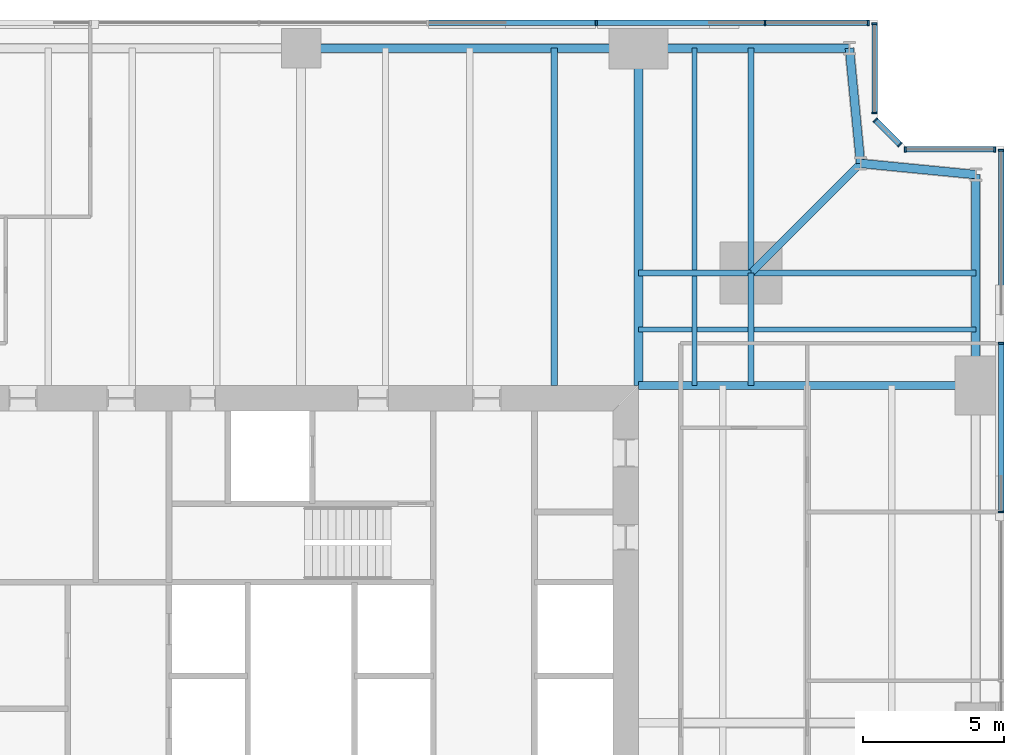
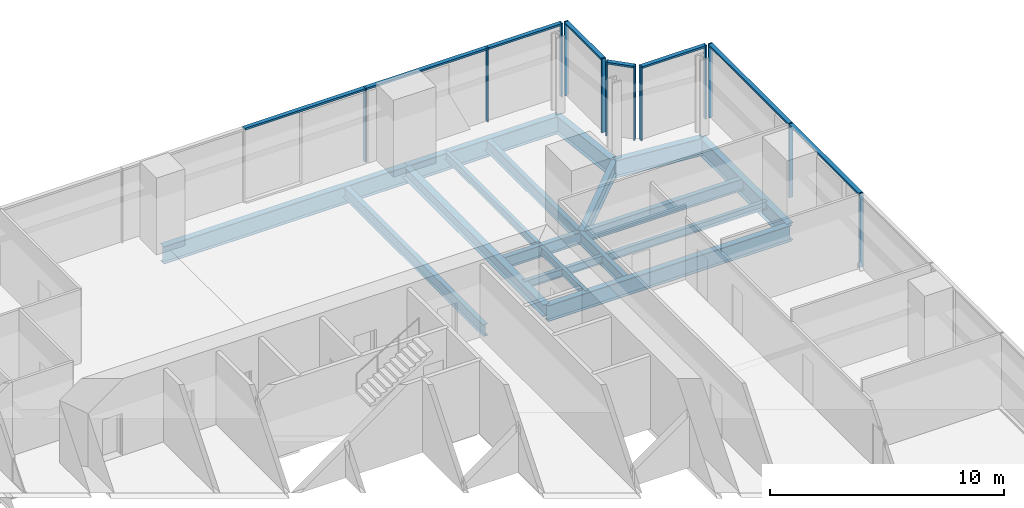
# One storey, part 7 of 13: 20 members, 18 beams, 5 elements without a shape of their own.
"""IFC4 building model written with IfcOpenShell, lengths in metres."""

from ifc_helpers import new_model, si_unit, direction, frame, origin, origin_2d, place, context, subcontext, project, spatial, rectangle, i_section, extrude, material, material_profile, profile_set, type_object, element, aggregate, save


model = new_model("IFC4")

# Units and contexts
model_context = context("Model", 3, precision=1e-05, world=origin(), true_north=direction((0.0, 1.0)))
body_context = subcontext(model_context, "Body", "Model", "MODEL_VIEW")
ifc_project = project(units=[si_unit("LENGTHUNIT", "METRE"), si_unit("AREAUNIT", "SQUARE_METRE"), si_unit("VOLUMEUNIT", "CUBIC_METRE"), si_unit("PLANEANGLEUNIT", "RADIAN"), si_unit("MASSUNIT", "GRAM", prefix="KILO")], contexts=[model_context])

# Site, building, storey
site_placement = place(None, origin())
site = spatial("IfcSite", under=ifc_project, at=site_placement, CompositionType="ELEMENT")
building_placement = place(site_placement, origin())
building = spatial("IfcBuilding", under=site, at=building_placement, Name="Fenwick Lantern Interchange", CompositionType="ELEMENT")
storey_placement = place(building_placement, frame((0.0, 0.0, 126.39990234375)))
storey = spatial("IfcBuildingStorey", under=building, at=storey_placement, Name="L29", CompositionType="ELEMENT", Elevation=126.39990234375)

# Beams
ifc_material_1 = material(Name="Steel ASTM A992 Grade 50", Category="steel")
ifc_material_profile_1 = material_profile(ifc_material_1, i_section(OverallWidth=0.3046875, OverallDepth=0.911865234375, WebThickness=0.015869140625, FlangeThickness=0.02392578125, at=origin_2d()), Name="W36X150")
ifc_profile_set_1 = profile_set([ifc_material_profile_1], Name="Steel ASTM A992 Grade 50")
beam_type_1 = type_object("IfcBeamType", Name="EDGE BEAM W36X150", PredefinedType="SPANDREL", material=ifc_profile_set_1)
beam_1_placement = place(storey_placement, frame((49.0, 37.0, -0.605712890625), z_axis=(0.0, 1.0, 0.0), x_axis=(-1.0, 0.0, 0.0)))
element("IfcBeam", 1, at=beam_1_placement, inside=storey, type_object=beam_type_1, Name="L29/FR/E/EB4", PredefinedType="SPANDREL", context=body_context, shape_type="SweptSolid", body=[
    extrude(i_section(OverallWidth=0.3046875, OverallDepth=0.911865234375, WebThickness=0.015869140625, FlangeThickness=0.02392578125, at=origin_2d()), origin(), (0.0, 0.0, 1.0), 7.5),
])
for number, where, z_axis, x_axis, name in (
    (2, (49.0, 44.5, -0.605712890625), (-0.995277148028, 0.097074191287, 0.0), (-0.097074191287, -0.995277148028, 0.0), "L29/FR/E/EBR1"),
    (3, (44.89990234375, 44.89990234375, -0.605712890625), (-0.097074191287, 0.995277148028, 0.0), (-0.995277148028, -0.097074191287, 0.0), "L29/FR/E/EBR2"),
):
    element("IfcBeam", number, at=place(storey_placement, frame(where, z_axis=z_axis, x_axis=x_axis)), inside=storey, type_object=beam_type_1, Name=name, PredefinedType="SPANDREL", context=body_context, shape_type="SweptSolid", body=[
        extrude(i_section(OverallWidth=0.3046875, OverallDepth=0.911865234375, WebThickness=0.015869140625, FlangeThickness=0.02392578125, at=origin_2d()), origin(), (0.0, 0.0, 1.0), 4.11962890625),
    ])
beam_2_placement = place(storey_placement, frame((44.5, 49.0, -0.605712890625), z_axis=(-1.0, 0.0, 0.0), x_axis=(0.0, -1.0, 0.0)))
element("IfcBeam", 4, at=beam_2_placement, inside=storey, type_object=beam_type_1, Name="L29/FR/N/EB1", PredefinedType="SPANDREL", context=body_context, shape_type="SweptSolid", body=[
    extrude(i_section(OverallWidth=0.3046875, OverallDepth=0.911865234375, WebThickness=0.015869140625, FlangeThickness=0.02392578125, at=origin_2d()), origin(), (0.0, 0.0, 1.0), 7.5),
])
beam_3_placement = place(storey_placement, frame((37.0, 49.0, -0.605712890625), z_axis=(-1.0, 0.0, 0.0), x_axis=(0.0, -1.0, 0.0)))
element("IfcBeam", 5, at=beam_3_placement, inside=storey, type_object=beam_type_1, Name="L29/FR/N/EB2", PredefinedType="SPANDREL", context=body_context, shape_type="SweptSolid", body=[
    extrude(i_section(OverallWidth=0.3046875, OverallDepth=0.911865234375, WebThickness=0.015869140625, FlangeThickness=0.02392578125, at=origin_2d()), origin(), (0.0, 0.0, 1.0), 12.0),
])
ifc_material_profile_2 = material_profile(ifc_material_1, i_section(OverallWidth=0.22900390625, OverallDepth=0.612060546875, WebThickness=0.011962890625, FlangeThickness=0.01953125, at=origin_2d()), Name="W24X84")
ifc_profile_set_2 = profile_set([ifc_material_profile_2], Name="Steel ASTM A992 Grade 50")
beam_type_2 = type_object("IfcBeamType", Name="FLOOR BEAM W24X84", PredefinedType="BEAM", material=ifc_profile_set_2)
beam_4_placement = place(storey_placement, frame((34.0, 49.0, -0.4560546875), z_axis=(0.0, -1.0, 0.0), x_axis=(1.0, 0.0, 0.0)))
element("IfcBeam", 6, at=beam_4_placement, inside=storey, type_object=beam_type_2, Name="L29/FR/N/R02", PredefinedType="BEAM", context=body_context, shape_type="SweptSolid", body=[
    extrude(i_section(OverallWidth=0.22900390625, OverallDepth=0.612060546875, WebThickness=0.011962890625, FlangeThickness=0.01953125, at=origin_2d()), origin(), (0.0, 0.0, 1.0), 12.0),
])
ifc_material_profile_3 = material_profile(ifc_material_1, i_section(OverallWidth=0.177734375, OverallDepth=0.406494140625, WebThickness=0.0078125, FlangeThickness=0.012939453125, at=origin_2d()), Name="W16X40")
ifc_profile_set_3 = profile_set([ifc_material_profile_3], Name="Steel ASTM A992 Grade 50")
beam_type_3 = type_object("IfcBeamType", Name="INFILL BEAM W16X40", PredefinedType="JOIST", material=ifc_profile_set_3)
beam_5_placement = place(storey_placement, frame((39.0, 49.0, -0.35302734375), z_axis=(0.0, -1.0, 0.0), x_axis=(1.0, 0.0, 0.0)))
element("IfcBeam", 7, at=beam_5_placement, inside=storey, type_object=beam_type_3, Name="L29/FR/N/J1", PredefinedType="JOIST", context=body_context, shape_type="SweptSolid", body=[
    extrude(i_section(OverallWidth=0.177734375, OverallDepth=0.406494140625, WebThickness=0.0078125, FlangeThickness=0.012939453125, at=origin_2d()), origin(), (0.0, 0.0, 1.0), 7.885498046875),
])
beam_6_placement = place(storey_placement, frame((39.0, 40.885498046875, -0.35302734375), z_axis=(0.0, -1.0, 0.0), x_axis=(1.0, 0.0, 0.0)))
element("IfcBeam", 8, at=beam_6_placement, inside=storey, type_object=beam_type_3, Name="L29/FR/N/J2", PredefinedType="JOIST", context=body_context, shape_type="SweptSolid", body=[
    extrude(i_section(OverallWidth=0.177734375, OverallDepth=0.406494140625, WebThickness=0.0078125, FlangeThickness=0.012939453125, at=origin_2d()), origin(), (0.0, 0.0, 1.0), 3.885498046875),
])
beam_7_placement = place(storey_placement, frame((49.0, 39.0, -0.35302734375), z_axis=(-1.0, 0.0, 0.0), x_axis=(0.0, -1.0, 0.0)))
element("IfcBeam", 9, at=beam_7_placement, inside=storey, type_object=beam_type_3, Name="L29/FR/N/J3", PredefinedType="JOIST", context=body_context, shape_type="SweptSolid", body=[
    extrude(i_section(OverallWidth=0.177734375, OverallDepth=0.406494140625, WebThickness=0.0078125, FlangeThickness=0.012939453125, at=origin_2d()), origin(), (0.0, 0.0, 1.0), 7.885498046875),
])
beam_8_placement = place(storey_placement, frame((40.885498046875, 39.0, -0.35302734375), z_axis=(-1.0, 0.0, 0.0), x_axis=(0.0, -1.0, 0.0)))
element("IfcBeam", 10, at=beam_8_placement, inside=storey, type_object=beam_type_3, Name="L29/FR/N/J4", PredefinedType="JOIST", context=body_context, shape_type="SweptSolid", body=[
    extrude(i_section(OverallWidth=0.177734375, OverallDepth=0.406494140625, WebThickness=0.0078125, FlangeThickness=0.012939453125, at=origin_2d()), origin(), (0.0, 0.0, 1.0), 1.796630859375),
])
beam_9_placement = place(storey_placement, frame((38.9111328125, 39.0, -0.35302734375), z_axis=(-1.0, 0.0, 0.0), x_axis=(0.0, -1.0, 0.0)))
element("IfcBeam", 11, at=beam_9_placement, inside=storey, type_object=beam_type_3, Name="L29/FR/N/J5", PredefinedType="JOIST", context=body_context, shape_type="SweptSolid", body=[
    extrude(i_section(OverallWidth=0.177734375, OverallDepth=0.406494140625, WebThickness=0.0078125, FlangeThickness=0.012939453125, at=origin_2d()), origin(), (0.0, 0.0, 1.0), 1.9111328125),
])
ifc_material_profile_4 = material_profile(ifc_material_1, i_section(OverallWidth=0.22900390625, OverallDepth=0.612060546875, WebThickness=0.011962890625, FlangeThickness=0.01953125, at=origin_2d()), Name="W24X84")
ifc_profile_set_4 = profile_set([ifc_material_profile_4], Name="Steel ASTM A992 Grade 50")
beam_type_4 = type_object("IfcBeamType", Name="MEGA COLUMN BEAM W24X84", PredefinedType="BEAM", material=ifc_profile_set_4)
for number, where, z_axis, x_axis, name in (
    (12, (41.0, 41.0, -0.4560546875), (0.0, 1.0, 0.0), (-1.0, 0.0, 0.0), "L29/FR/N/MB1"),
    (13, (41.0, 41.0, -0.4560546875), (1.0, 0.0, 0.0), (0.0, 1.0, 0.0), "L29/FR/N/MB2"),
):
    element("IfcBeam", number, at=place(storey_placement, frame(where, z_axis=z_axis, x_axis=x_axis)), inside=storey, type_object=beam_type_4, Name=name, PredefinedType="BEAM", context=body_context, shape_type="SweptSolid", body=[
        extrude(i_section(OverallWidth=0.22900390625, OverallDepth=0.612060546875, WebThickness=0.011962890625, FlangeThickness=0.01953125, at=origin_2d()), origin(), (0.0, 0.0, 1.0), 8.0),
    ])
for number, where, z_axis, x_axis, name in (
    (14, (41.0, 41.0, -0.4560546875), (-1.0, 0.0, 0.0), (0.0, -1.0, 0.0), "L29/FR/N/MB3"),
    (15, (41.0, 41.0, -0.4560546875), (0.0, -1.0, 0.0), (1.0, 0.0, 0.0), "L29/FR/N/MB4"),
):
    element("IfcBeam", number, at=place(storey_placement, frame(where, z_axis=z_axis, x_axis=x_axis)), inside=storey, type_object=beam_type_4, Name=name, PredefinedType="BEAM", context=body_context, shape_type="SweptSolid", body=[
        extrude(i_section(OverallWidth=0.22900390625, OverallDepth=0.612060546875, WebThickness=0.011962890625, FlangeThickness=0.01953125, at=origin_2d()), origin(), (0.0, 0.0, 1.0), 4.0),
    ])
ifc_material_profile_5 = material_profile(ifc_material_1, i_section(OverallWidth=0.32763671875, OverallDepth=0.622314453125, WebThickness=0.015380859375, FlangeThickness=0.0244140625, at=origin_2d()), Name="W24X131")
ifc_profile_set_5 = profile_set([ifc_material_profile_5], Name="Steel ASTM A992 Grade 50")
beam_type_5 = type_object("IfcBeamType", Name="MOMENT-CONNECTED GIRDER W24X131", PredefinedType="BEAM", material=ifc_profile_set_5)
beam_10_placement = place(storey_placement, frame((37.0, 49.0, -0.4609375), z_axis=(0.0, -1.0, 0.0), x_axis=(1.0, 0.0, 0.0)))
element("IfcBeam", 16, at=beam_10_placement, inside=storey, type_object=beam_type_5, Name="L29/FR/N/R01", PredefinedType="BEAM", context=body_context, shape_type="SweptSolid", body=[
    extrude(i_section(OverallWidth=0.32763671875, OverallDepth=0.622314453125, WebThickness=0.015380859375, FlangeThickness=0.0244140625, at=origin_2d()), origin(), (0.0, 0.0, 1.0), 12.0),
])
ifc_material_profile_6 = material_profile(ifc_material_1, i_section(OverallWidth=0.2919921875, OverallDepth=0.845703125, WebThickness=0.015380859375, FlangeThickness=0.0244140625, at=origin_2d()), Name="W33X141")
ifc_profile_set_6 = profile_set([ifc_material_profile_6], Name="Steel ASTM A992 Grade 50")
beam_type_6 = type_object("IfcBeamType", Name="MOMENT-CONNECTED GIRDER W33X141", PredefinedType="BEAM", material=ifc_profile_set_6)
beam_11_placement = place(storey_placement, frame((49.0, 37.0, -0.57275390625), z_axis=(-1.0, 0.0, 0.0), x_axis=(0.0, -1.0, 0.0)))
element("IfcBeam", 17, at=beam_11_placement, inside=storey, type_object=beam_type_6, Name="L29/FR/E/R03", PredefinedType="BEAM", context=body_context, shape_type="SweptSolid", body=[
    extrude(i_section(OverallWidth=0.2919921875, OverallDepth=0.845703125, WebThickness=0.015380859375, FlangeThickness=0.0244140625, at=origin_2d()), origin(), (0.0, 0.0, 1.0), 12.0),
])
ifc_material_profile_7 = material_profile(ifc_material_1, i_section(OverallWidth=0.2666015625, OverallDepth=0.7568359375, WebThickness=0.013916015625, FlangeThickness=0.019287109375, at=origin_2d()), Name="W30X108")
ifc_profile_set_7 = profile_set([ifc_material_profile_7], Name="Steel ASTM A992 Grade 50")
beam_type_7 = type_object("IfcBeamType", Name="NOTCH BEAM W30X108", PredefinedType="BEAM", material=ifc_profile_set_7)
beam_12_placement = place(storey_placement, frame((41.0, 41.0, -0.5283203125), z_axis=(0.707106781187, 0.707106781187, 0.0), x_axis=(-0.707106781187, 0.707106781187, 0.0)))
element("IfcBeam", 18, at=beam_12_placement, inside=storey, type_object=beam_type_7, Name="L29/FR/N/TG", PredefinedType="BEAM", context=body_context, shape_type="SweptSolid", body=[
    extrude(i_section(OverallWidth=0.2666015625, OverallDepth=0.7568359375, WebThickness=0.013916015625, FlangeThickness=0.019287109375, at=origin_2d()), origin(), (0.0, 0.0, 1.0), 5.515380859375),
])

# Curtain wall, members
ifc_material_2 = material(Name="Aluminium curtain wall frame", Category="aluminium")
curtain_wall_type = type_object("IfcCurtainWallType", Name="OFFICE CURTAIN WALL", PredefinedType="USERDEFINED", material=ifc_material_2)
curtain_wall_1_placement = place(storey_placement, origin())
curtain_wall_1 = element("IfcCurtainWall", 19, at=curtain_wall_1_placement, inside=storey, type_object=curtain_wall_type, Name="Office curtain wall 05", ObjectType="OFFICE CURTAIN WALL", PredefinedType="USERDEFINED")
ifc_material_3 = material(Name="Aluminium extrusion", Category="aluminium")
ifc_material_profile_8 = material_profile(ifc_material_3, rectangle(XDim=0.199951171875, YDim=0.06494140625, at=origin_2d()), Name="OFFICE CURTAIN WALL MULLION 65 X 200")
ifc_profile_set_8 = profile_set([ifc_material_profile_8], Name="Aluminium extrusion")
member_type_1 = type_object("IfcMemberType", Name="OFFICE CURTAIN WALL MULLION 65 X 200", PredefinedType="MULLION", material=ifc_profile_set_8)
member_1_placement = place(storey_placement, frame((49.89990234375, 32.5, 0.0), z_axis=(0.0, 0.0, 1.0), x_axis=(-1.0, 0.0, 0.0)))
member_1 = element("IfcMember", 20, at=member_1_placement, type_object=member_type_1, Name="L29/CW/05/M05", PredefinedType="MULLION", context=body_context, shape_type="SweptSolid", body=[
    extrude(rectangle(XDim=0.199951171875, YDim=0.06494140625, at=origin_2d()), origin(), (0.0, 0.0, 1.0), 3.85009765625),
])
member_2_placement = place(storey_placement, frame((49.89990234375, 38.5, 0.0), z_axis=(0.0, 0.0, 1.0), x_axis=(-1.0, 0.0, 0.0)))
member_2 = element("IfcMember", 21, at=member_2_placement, type_object=member_type_1, Name="L29/CW/05/M06", PredefinedType="MULLION", context=body_context, shape_type="SweptSolid", body=[
    extrude(rectangle(XDim=0.199951171875, YDim=0.06494140625, at=origin_2d()), origin(), (0.0, 0.0, 1.0), 3.85009765625),
])
member_3_placement = place(storey_placement, frame((49.89990234375, 45.367431640625, 0.0), z_axis=(0.0, 0.0, 1.0), x_axis=(-1.0, 0.0, 0.0)))
member_3 = element("IfcMember", 22, at=member_3_placement, type_object=member_type_1, Name="L29/CW/05/M07", PredefinedType="MULLION", context=body_context, shape_type="SweptSolid", body=[
    extrude(rectangle(XDim=0.199951171875, YDim=0.06494140625, at=origin_2d()), origin(), (0.0, 0.0, 1.0), 3.85009765625),
])

curtain_wall_2_placement = place(storey_placement, origin())
curtain_wall_2 = element("IfcCurtainWall", 23, at=curtain_wall_2_placement, inside=storey, type_object=curtain_wall_type, Name="Office curtain wall 06", ObjectType="OFFICE CURTAIN WALL", PredefinedType="USERDEFINED")
member_4_placement = place(storey_placement, frame((49.66748046875, 45.39990234375, 0.0), z_axis=(0.0, 0.0, 1.0), x_axis=(0.0, -1.0, 0.0)))
member_4 = element("IfcMember", 24, at=member_4_placement, type_object=member_type_1, Name="L29/CW/06/M00", PredefinedType="MULLION", context=body_context, shape_type="SweptSolid", body=[
    extrude(rectangle(XDim=0.199951171875, YDim=0.06494140625, at=origin_2d()), origin(), (0.0, 0.0, 1.0), 3.85009765625),
])
member_5_placement = place(storey_placement, frame((46.490966796875, 45.39990234375, 0.0), z_axis=(0.0, 0.0, 1.0), x_axis=(0.0, -1.0, 0.0)))
member_5 = element("IfcMember", 25, at=member_5_placement, type_object=member_type_1, Name="L29/CW/06/M01", PredefinedType="MULLION", context=body_context, shape_type="SweptSolid", body=[
    extrude(rectangle(XDim=0.199951171875, YDim=0.06494140625, at=origin_2d()), origin(), (0.0, 0.0, 1.0), 3.85009765625),
])

curtain_wall_3_placement = place(storey_placement, origin())
curtain_wall_3 = element("IfcCurtainWall", 26, at=curtain_wall_3_placement, inside=storey, type_object=curtain_wall_type, Name="Office curtain wall 07", ObjectType="OFFICE CURTAIN WALL", PredefinedType="USERDEFINED")
member_6_placement = place(storey_placement, frame((46.294189453125, 45.564453125, 0.0), z_axis=(0.0, 0.0, 1.0), x_axis=(-0.707106781187, -0.707106781187, 0.0)))
member_6 = element("IfcMember", 27, at=member_6_placement, type_object=member_type_1, Name="L29/CW/07/M00", PredefinedType="MULLION", context=body_context, shape_type="SweptSolid", body=[
    extrude(rectangle(XDim=0.199951171875, YDim=0.06494140625, at=origin_2d()), origin(), (0.0, 0.0, 1.0), 3.85009765625),
])
member_7_placement = place(storey_placement, frame((45.423095703125, 46.435546875, 0.0), z_axis=(0.0, 0.0, 1.0), x_axis=(-0.707106781187, -0.707106781187, 0.0)))
member_7 = element("IfcMember", 28, at=member_7_placement, type_object=member_type_1, Name="L29/CW/07/M01", PredefinedType="MULLION", context=body_context, shape_type="SweptSolid", body=[
    extrude(rectangle(XDim=0.199951171875, YDim=0.06494140625, at=origin_2d()), origin(), (0.0, 0.0, 1.0), 3.85009765625),
])

curtain_wall_4_placement = place(storey_placement, origin())
curtain_wall_4 = element("IfcCurtainWall", 29, at=curtain_wall_4_placement, inside=storey, type_object=curtain_wall_type, Name="Office curtain wall 08", ObjectType="OFFICE CURTAIN WALL", PredefinedType="USERDEFINED")
member_8_placement = place(storey_placement, frame((45.39990234375, 46.691162109375, 0.0), z_axis=(0.0, 0.0, 1.0), x_axis=(-1.0, 0.0, 0.0)))
member_8 = element("IfcMember", 30, at=member_8_placement, type_object=member_type_1, Name="L29/CW/08/M00", PredefinedType="MULLION", context=body_context, shape_type="SweptSolid", body=[
    extrude(rectangle(XDim=0.199951171875, YDim=0.06494140625, at=origin_2d()), origin(), (0.0, 0.0, 1.0), 3.85009765625),
])
member_9_placement = place(storey_placement, frame((45.39990234375, 49.867431640625, 0.0), z_axis=(0.0, 0.0, 1.0), x_axis=(-1.0, 0.0, 0.0)))
member_9 = element("IfcMember", 31, at=member_9_placement, type_object=member_type_1, Name="L29/CW/08/M01", PredefinedType="MULLION", context=body_context, shape_type="SweptSolid", body=[
    extrude(rectangle(XDim=0.199951171875, YDim=0.06494140625, at=origin_2d()), origin(), (0.0, 0.0, 1.0), 3.85009765625),
])

curtain_wall_5_placement = place(storey_placement, origin())
curtain_wall_5 = element("IfcCurtainWall", 32, at=curtain_wall_5_placement, inside=storey, type_object=curtain_wall_type, Name="Office curtain wall 09", ObjectType="OFFICE CURTAIN WALL", PredefinedType="USERDEFINED")
member_10_placement = place(storey_placement, frame((45.16748046875, 49.89990234375, 0.0), z_axis=(0.0, 0.0, 1.0), x_axis=(0.0, -1.0, 0.0)))
member_10 = element("IfcMember", 33, at=member_10_placement, type_object=member_type_1, Name="L29/CW/09/M00", PredefinedType="MULLION", context=body_context, shape_type="SweptSolid", body=[
    extrude(rectangle(XDim=0.199951171875, YDim=0.06494140625, at=origin_2d()), origin(), (0.0, 0.0, 1.0), 3.85009765625),
])
member_11_placement = place(storey_placement, frame((41.5, 49.89990234375, 0.0), z_axis=(0.0, 0.0, 1.0), x_axis=(0.0, -1.0, 0.0)))
member_11 = element("IfcMember", 34, at=member_11_placement, type_object=member_type_1, Name="L29/CW/09/M01", PredefinedType="MULLION", context=body_context, shape_type="SweptSolid", body=[
    extrude(rectangle(XDim=0.199951171875, YDim=0.06494140625, at=origin_2d()), origin(), (0.0, 0.0, 1.0), 3.85009765625),
])
member_12_placement = place(storey_placement, frame((35.5, 49.89990234375, 0.0), z_axis=(0.0, 0.0, 1.0), x_axis=(0.0, -1.0, 0.0)))
member_12 = element("IfcMember", 35, at=member_12_placement, type_object=member_type_1, Name="L29/CW/09/M02", PredefinedType="MULLION", context=body_context, shape_type="SweptSolid", body=[
    extrude(rectangle(XDim=0.199951171875, YDim=0.06494140625, at=origin_2d()), origin(), (0.0, 0.0, 1.0), 3.85009765625),
])

# Member
ifc_material_profile_9 = material_profile(ifc_material_3, rectangle(XDim=0.199951171875, YDim=0.10009765625, at=origin_2d()), Name="OFFICE CURTAIN WALL TRANSOM 100 X 200")
ifc_profile_set_9 = profile_set([ifc_material_profile_9], Name="Aluminium extrusion")
member_type_2 = type_object("IfcMemberType", Name="OFFICE CURTAIN WALL TRANSOM 100 X 200", PredefinedType="MULLION", material=ifc_profile_set_9)
member_13_placement = place(storey_placement, frame((49.89990234375, 32.532470703125, 3.800048828125), z_axis=(0.0, 1.0, 0.0), x_axis=(-1.0, 0.0, 0.0)))
member_13 = element("IfcMember", 36, at=member_13_placement, type_object=member_type_2, Name="L29/CW/05/T05", PredefinedType="MULLION", context=body_context, shape_type="SweptSolid", body=[
    extrude(rectangle(XDim=0.199951171875, YDim=0.10009765625, at=origin_2d()), origin(), (0.0, 0.0, 1.0), 5.93505859375),
])

member_14_placement = place(storey_placement, frame((49.89990234375, 38.532470703125, 3.800048828125), z_axis=(0.0, 1.0, 0.0), x_axis=(-1.0, 0.0, 0.0)))
member_14 = element("IfcMember", 37, at=member_14_placement, type_object=member_type_2, Name="L29/CW/05/T06", PredefinedType="MULLION", context=body_context, shape_type="SweptSolid", body=[
    extrude(rectangle(XDim=0.199951171875, YDim=0.10009765625, at=origin_2d()), origin(), (0.0, 0.0, 1.0), 6.802490234375),
])

aggregate(curtain_wall_1, [member_1, member_2, member_3, member_13, member_14])

member_15_placement = place(storey_placement, frame((49.635009765625, 45.39990234375, 3.800048828125), z_axis=(-1.0, 0.0, 0.0), x_axis=(0.0, -1.0, 0.0)))
member_15 = element("IfcMember", 38, at=member_15_placement, type_object=member_type_2, Name="L29/CW/06/T00", PredefinedType="MULLION", context=body_context, shape_type="SweptSolid", body=[
    extrude(rectangle(XDim=0.199951171875, YDim=0.10009765625, at=origin_2d()), origin(), (0.0, 0.0, 1.0), 3.111328125),
])

aggregate(curtain_wall_2, [member_4, member_5, member_15])

member_16_placement = place(storey_placement, frame((46.271240234375, 45.58740234375, 3.800048828125), z_axis=(-0.707106781187, 0.707106781187, 0.0), x_axis=(-0.707106781187, -0.707106781187, 0.0)))
member_16 = element("IfcMember", 39, at=member_16_placement, type_object=member_type_2, Name="L29/CW/07/T00", PredefinedType="MULLION", context=body_context, shape_type="SweptSolid", body=[
    extrude(rectangle(XDim=0.199951171875, YDim=0.10009765625, at=origin_2d()), origin(), (0.0, 0.0, 1.0), 1.1669921875),
])

aggregate(curtain_wall_3, [member_6, member_7, member_16])

member_17_placement = place(storey_placement, frame((45.39990234375, 46.7236328125, 3.800048828125), z_axis=(0.0, 1.0, 0.0), x_axis=(-1.0, 0.0, 0.0)))
member_17 = element("IfcMember", 40, at=member_17_placement, type_object=member_type_2, Name="L29/CW/08/T00", PredefinedType="MULLION", context=body_context, shape_type="SweptSolid", body=[
    extrude(rectangle(XDim=0.199951171875, YDim=0.10009765625, at=origin_2d()), origin(), (0.0, 0.0, 1.0), 3.111328125),
])

aggregate(curtain_wall_4, [member_8, member_9, member_17])

member_18_placement = place(storey_placement, frame((45.135009765625, 49.89990234375, 3.800048828125), z_axis=(-1.0, 0.0, 0.0), x_axis=(0.0, -1.0, 0.0)))
member_18 = element("IfcMember", 41, at=member_18_placement, type_object=member_type_2, Name="L29/CW/09/T00", PredefinedType="MULLION", context=body_context, shape_type="SweptSolid", body=[
    extrude(rectangle(XDim=0.199951171875, YDim=0.10009765625, at=origin_2d()), origin(), (0.0, 0.0, 1.0), 3.6025390625),
])

member_19_placement = place(storey_placement, frame((41.467529296875, 49.89990234375, 3.800048828125), z_axis=(-1.0, 0.0, 0.0), x_axis=(0.0, -1.0, 0.0)))
member_19 = element("IfcMember", 42, at=member_19_placement, type_object=member_type_2, Name="L29/CW/09/T01", PredefinedType="MULLION", context=body_context, shape_type="SweptSolid", body=[
    extrude(rectangle(XDim=0.199951171875, YDim=0.10009765625, at=origin_2d()), origin(), (0.0, 0.0, 1.0), 5.93505859375),
])

member_20_placement = place(storey_placement, frame((35.467529296875, 49.89990234375, 3.800048828125), z_axis=(-1.0, 0.0, 0.0), x_axis=(0.0, -1.0, 0.0)))
member_20 = element("IfcMember", 43, at=member_20_placement, type_object=member_type_2, Name="L29/CW/09/T02", PredefinedType="MULLION", context=body_context, shape_type="SweptSolid", body=[
    extrude(rectangle(XDim=0.199951171875, YDim=0.10009765625, at=origin_2d()), origin(), (0.0, 0.0, 1.0), 5.93505859375),
])

aggregate(curtain_wall_5, [member_10, member_11, member_12, member_18, member_19, member_20])

save(model, "model.ifc")
